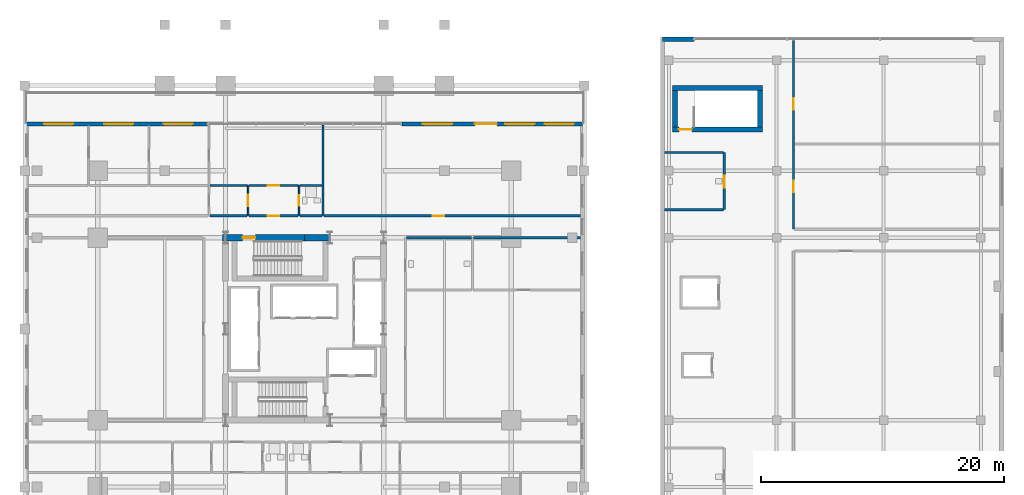
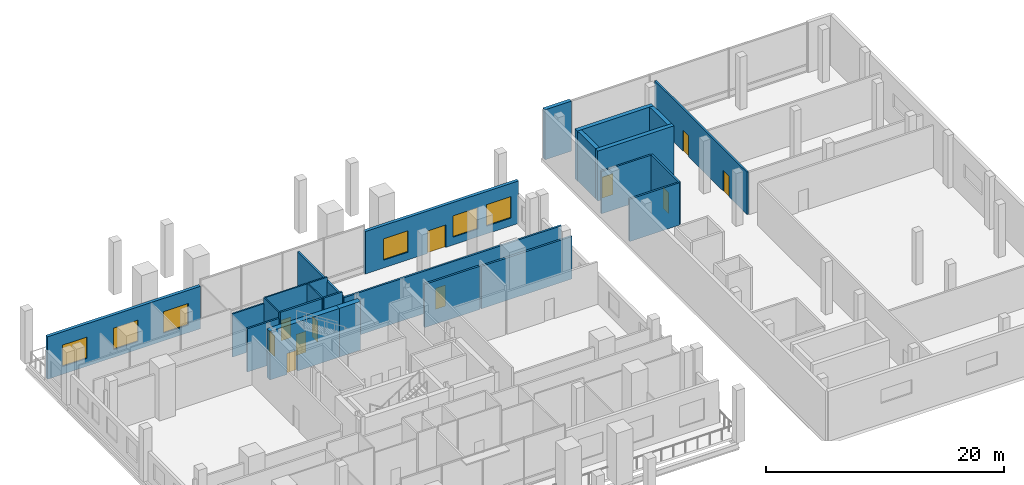
# One storey, part 20 of 25: 25 walls, 11 doors, 6 windows, 17 openings.
"""IFC4 building model written with IfcOpenShell, lengths in metres."""

from ifc_helpers import new_model, si_unit, direction, frame, frame_2d, origin, place, context, subcontext, project, spatial, rectangle, extrude, material, layer, layer_set, type_object, element, fill, save


model = new_model("IFC4")

# Units and contexts
model_context = context("Model", 3, precision=1e-05, world=origin(), true_north=direction((0.0, 1.0)))
body_context = subcontext(model_context, "Body", "Model", "MODEL_VIEW")
ifc_project = project(units=[si_unit("LENGTHUNIT", "METRE"), si_unit("AREAUNIT", "SQUARE_METRE"), si_unit("VOLUMEUNIT", "CUBIC_METRE"), si_unit("PLANEANGLEUNIT", "RADIAN"), si_unit("MASSUNIT", "GRAM", prefix="KILO")], contexts=[model_context])

# Site, building, storey
site_placement = place(None, origin())
site = spatial("IfcSite", under=ifc_project, at=site_placement, CompositionType="ELEMENT")
building_placement = place(site_placement, origin())
building = spatial("IfcBuilding", under=site, at=building_placement, Name="Barlavira Tower and Art Museum", CompositionType="ELEMENT")
storey_placement = place(building_placement, frame((0.0, 0.0, 22.199951171875)))
storey = spatial("IfcBuildingStorey", under=building, at=storey_placement, Name="L04", CompositionType="ELEMENT", Elevation=22.199951171875)

# Wall, opening, door
ifc_material_1 = material(Name="Gypsum acoustic stud partition", Category="gypsum")
ifc_layer_1 = layer(ifc_material_1, 0.1201171875, Name="Gypsum acoustic stud partition")
ifc_layer_set_1 = layer_set([ifc_layer_1], Name="Gypsum acoustic stud partition")
wall_type_1 = type_object("IfcWallType", Name="Apartment Internal Acoustic Partition 120", PredefinedType="PARTITIONING", material=ifc_layer_set_1)
wall_1_placement = place(storey_placement, frame((-4.64990234375, 9.300048828125, 0.0), z_axis=(0.0, 0.0, 1.0), x_axis=(0.0, 1.0, 0.0)))
wall_1 = element("IfcWall", 1, at=wall_1_placement, inside=storey, type_object=wall_type_1, Name="L04 Partition Wall 8", PredefinedType="PARTITIONING", context=body_context, shape_type="SweptSolid", body=[
    extrude(rectangle(XDim=2.52001953125, YDim=0.1201171875, at=frame_2d((1.260009765625, 0.0))), origin(), (0.0, 0.0, 1.0), 5.0),
])
opening_1_placement = place(wall_1_placement, frame((0.784912109375, 0.0, 0.0)))
opening_1 = element("IfcOpeningElement", 2, at=opening_1_placement, cuts=wall_1, Name="Opening D-02", PredefinedType="OPENING", context=body_context, shape_type="SweptSolid", body=[
    extrude(rectangle(XDim=0.949951171875, YDim=2.10009765625, at=frame_2d((0.47509765625, 1.050048828125))), frame((0.0, 0.070068359375, 0.0), z_axis=(0.0, -1.0, 0.0), x_axis=(1.0, 0.0, 0.0)), (0.0, 0.0, 1.0), 0.14013671875),
])
ifc_material_2 = material(Name="Engineered coastal hardwood", Category="wood")
door_type_1 = type_object("IfcDoorType", Name="Living and Salon Glazed-Leaf Door 950x2100", OperationType="NOTDEFINED", PredefinedType="DOOR", material=ifc_material_2)
door_1_placement = place(opening_1_placement, origin())
door_1 = element("IfcDoor", 3, at=door_1_placement, inside=storey, type_object=door_type_1, Name="Apartment P4-NW Kitchen Door", OperationType="SINGLE_SWING_LEFT", OverallHeight=2.10009765625, OverallWidth=0.949951171875, PredefinedType="DOOR", context=body_context, shape_type="SweptSolid", body=[
    extrude(rectangle(XDim=0.949951171875, YDim=2.10009765625, at=frame_2d((0.47509765625, 1.050048828125))), frame((0.0, 0.02490234375, 0.0), z_axis=(0.0, -1.0, 0.0), x_axis=(1.0, 0.0, 0.0)), (0.0, 0.0, 1.0), 0.050048828125),
])
fill(opening_1, door_1)

ifc_material_3 = material(Name="Concrete C60", Category="concrete")
ifc_layer_2 = layer(ifc_material_3, 0.5, Name="Concrete C60")
ifc_layer_set_2 = layer_set([ifc_layer_2], Name="Concrete C60")
wall_type_2 = type_object("IfcWallType", Name="Core Structural Shear Wall 500 Concrete C60", PredefinedType="SHEAR", material=ifc_layer_set_2)
wall_2_placement = place(storey_placement, frame((-6.75, 7.5, 0.0), z_axis=(0.0, 0.0, 1.0), x_axis=(1.0, 0.0, 0.0)))
wall_2 = element("IfcWall", 4, at=wall_2_placement, inside=storey, type_object=wall_type_2, Name="L04 Core Shear Wall CS-NW", PredefinedType="SHEAR", context=body_context, shape_type="SweptSolid", body=[
    extrude(rectangle(XDim=6.75, YDim=0.5, at=frame_2d((3.375, 0.0))), origin(), (0.0, 0.0, 1.0), 5.0),
])
opening_2_placement = place(wall_2_placement, frame((1.64990234375, 0.0, 0.0)))
opening_2 = element("IfcOpeningElement", 5, at=opening_2_placement, cuts=wall_2, Name="Opening FD-90", PredefinedType="OPENING", context=body_context, shape_type="SweptSolid", body=[
    extrude(rectangle(XDim=1.050048828125, YDim=2.14990234375, at=frame_2d((0.52490234375, 1.074951171875))), frame((0.0, 0.260009765625, 0.0), z_axis=(0.0, -1.0, 0.0), x_axis=(1.0, 0.0, 0.0)), (0.0, 0.0, 1.0), 0.52001953125),
])
ifc_material_4 = material(Name="Brushed stainless steel", Category="steel")
door_type_2 = type_object("IfcDoorType", Name="Stair and Refuge Fire Door 1050x2150 FD90S", OperationType="NOTDEFINED", PredefinedType="DOOR", material=ifc_material_4)
door_2_placement = place(opening_2_placement, origin())
door_2 = element("IfcDoor", 6, at=door_2_placement, inside=storey, type_object=door_type_2, Name="L04 Stair ST-T2 Fire Door", OperationType="SINGLE_SWING_LEFT", OverallHeight=2.14990234375, OverallWidth=1.050048828125, PredefinedType="DOOR", context=body_context, shape_type="SweptSolid", body=[
    extrude(rectangle(XDim=1.050048828125, YDim=2.14990234375, at=frame_2d((0.52490234375, 1.074951171875))), frame((0.0, 0.02490234375, 0.0), z_axis=(0.0, -1.0, 0.0), x_axis=(1.0, 0.0, 0.0)), (0.0, 0.0, 1.0), 0.050048828125),
])
fill(opening_2, door_2)

# Walls
wall_3_placement = place(storey_placement, frame((0.0, 7.5, 0.0), z_axis=(0.0, 0.0, 1.0), x_axis=(1.0, 0.0, 0.0)))
element("IfcWall", 7, at=wall_3_placement, inside=storey, type_object=wall_type_2, Name="L04 Core Shear Wall CS-EN", PredefinedType="SHEAR", context=body_context, shape_type="SweptSolid", body=[
    extrude(rectangle(XDim=2.080078125, YDim=0.5, at=frame_2d((1.0400390625, 0.0))), origin(), (0.0, 0.0, 1.0), 5.0),
])
ifc_material_5 = material(Name="Autoclaved aerated concrete masonry", Category="masonry")
ifc_layer_3 = layer(ifc_material_5, 0.199951171875, Name="Autoclaved aerated concrete masonry")
ifc_layer_set_3 = layer_set([ifc_layer_3], Name="Autoclaved aerated concrete masonry")
wall_type_3 = type_object("IfcWallType", Name="Fire Compartment and Shaft Wall 200", PredefinedType="SOLIDWALL", material=ifc_layer_set_3)
wall_4_placement = place(storey_placement, frame((8.3798828125, 7.5, 0.0), z_axis=(0.0, 0.0, 1.0), x_axis=(1.0, 0.0, 0.0)))
element("IfcWall", 8, at=wall_4_placement, inside=storey, type_object=wall_type_3, Name="L04 Partition Wall 54", PredefinedType="SOLIDWALL", context=body_context, shape_type="SweptSolid", body=[
    extrude(rectangle(XDim=5.340087890625, YDim=0.199951171875, at=frame_2d((2.669921875, 0.0))), origin(), (0.0, 0.0, 1.0), 4.43603515625),
])
wall_5_placement = place(storey_placement, frame((13.8798828125, 7.5, 0.0), z_axis=(0.0, 0.0, 1.0), x_axis=(1.0, 0.0, 0.0)))
element("IfcWall", 9, at=wall_5_placement, inside=storey, type_object=wall_type_3, Name="L04 Partition Wall 55", PredefinedType="SOLIDWALL", context=body_context, shape_type="SweptSolid", body=[
    extrude(rectangle(XDim=8.815185546875, YDim=0.199951171875, at=frame_2d((4.40771484375, 0.0))), origin(), (0.0, 0.0, 1.0), 4.35595703125),
])
ifc_layer_4 = layer(ifc_material_1, 0.179931640625, Name="Gypsum acoustic stud partition")
ifc_layer_set_4 = layer_set([ifc_layer_4], Name="Gypsum acoustic stud partition")
wall_type_4 = type_object("IfcWallType", Name="Inter-Tenancy Party Partition Wall 180", PredefinedType="PARTITIONING", material=ifc_layer_set_4)
wall_6_placement = place(storey_placement, frame((1.5, 9.300048828125, 0.0), z_axis=(0.0, 0.0, 1.0), x_axis=(0.0, 1.0, 0.0)))
element("IfcWall", 10, at=wall_6_placement, inside=storey, type_object=wall_type_4, Name="L04 Partition Wall 13", PredefinedType="PARTITIONING", context=body_context, shape_type="SweptSolid", body=[
    extrude(rectangle(XDim=7.454833984375, YDim=0.179931640625, at=frame_2d((3.7275390625, 0.0))), origin(), (0.0, 0.0, 1.0), 4.568115234375),
])

# Wall, opening, door
wall_7_placement = place(storey_placement, frame((34.5, 9.800048828125, 0.0), z_axis=(0.0, 0.0, 1.0), x_axis=(0.0, 1.0, 0.0)))
wall_7 = element("IfcWall", 11, at=wall_7_placement, inside=storey, type_object=wall_type_4, Name="L04 Partition Wall 22", PredefinedType="PARTITIONING", context=body_context, shape_type="SweptSolid", body=[
    extrude(rectangle(XDim=4.699951171875, YDim=0.179931640625, at=frame_2d((2.35009765625, 0.0))), origin(), (0.0, 0.0, 1.0), 4.34716796875),
])
opening_3_placement = place(wall_7_placement, frame((1.824951171875, 0.0, 0.0)))
opening_3 = element("IfcOpeningElement", 12, at=opening_3_placement, cuts=wall_7, Name="Opening FD-60", PredefinedType="OPENING", context=body_context, shape_type="SweptSolid", body=[
    extrude(rectangle(XDim=0.949951171875, YDim=2.14990234375, at=frame_2d((0.47509765625, 1.074951171875))), frame((0.0, 0.10009765625, 0.0), z_axis=(0.0, -1.0, 0.0), x_axis=(1.0, 0.0, 0.0)), (0.0, 0.0, 1.0), 0.199951171875),
])
door_type_3 = type_object("IfcDoorType", Name="Apartment Entrance and Riser Fire Door 950x2150 FD60S", OperationType="NOTDEFINED", PredefinedType="DOOR", material=ifc_material_4)
door_3_placement = place(opening_3_placement, origin())
door_3 = element("IfcDoor", 13, at=door_3_placement, inside=storey, type_object=door_type_3, Name="L04 Museum Visitor Restrooms Door", OperationType="SINGLE_SWING_RIGHT", OverallHeight=2.14990234375, OverallWidth=0.949951171875, PredefinedType="DOOR", context=body_context, shape_type="SweptSolid", body=[
    extrude(rectangle(XDim=0.949951171875, YDim=2.14990234375, at=frame_2d((0.47509765625, 1.074951171875))), frame((0.0, 0.02490234375, 0.0), z_axis=(0.0, -1.0, 0.0), x_axis=(1.0, 0.0, 0.0)), (0.0, 0.0, 1.0), 0.050048828125),
])
fill(opening_3, door_3)

# Wall, openings, doors
wall_8_placement = place(storey_placement, frame((40.199951171875, 8.199951171875, 0.0), z_axis=(0.0, 0.0, 1.0), x_axis=(0.0, 1.0, 0.0)))
wall_8 = element("IfcWall", 14, at=wall_8_placement, inside=storey, type_object=wall_type_4, Name="L04 Partition Wall 24", PredefinedType="PARTITIONING", context=body_context, shape_type="SweptSolid", body=[
    extrude(rectangle(XDim=15.52001953125, YDim=0.179931640625, at=frame_2d((7.760009765625, 0.0))), origin(), (0.0, 0.0, 1.0), 4.34716796875),
])
opening_4_placement = place(wall_8_placement, frame((3.02490234375, 0.0, 0.0)))
opening_4 = element("IfcOpeningElement", 15, at=opening_4_placement, cuts=wall_8, Name="Opening FD-60", PredefinedType="OPENING", context=body_context, shape_type="SweptSolid", body=[
    extrude(rectangle(XDim=0.949951171875, YDim=2.14990234375, at=frame_2d((0.47509765625, 1.074951171875))), frame((0.0, 0.10009765625, 0.0), z_axis=(0.0, -1.0, 0.0), x_axis=(1.0, 0.0, 0.0)), (0.0, 0.0, 1.0), 0.199951171875),
])
opening_5_placement = place(wall_8_placement, frame((9.824951171875, 0.0, 0.0)))
opening_5 = element("IfcOpeningElement", 16, at=opening_5_placement, cuts=wall_8, Name="Opening FD-60", PredefinedType="OPENING", context=body_context, shape_type="SweptSolid", body=[
    extrude(rectangle(XDim=0.949951171875, YDim=2.14990234375, at=frame_2d((0.47509765625, 1.074951171875))), frame((0.0, 0.10009765625, 0.0), z_axis=(0.0, -1.0, 0.0), x_axis=(1.0, 0.0, 0.0)), (0.0, 0.0, 1.0), 0.199951171875),
])
door_4_placement = place(opening_4_placement, origin())
door_4 = element("IfcDoor", 17, at=door_4_placement, inside=storey, type_object=door_type_3, Name="L04 North Coastal Contemporary Art Gallery Door", OperationType="SINGLE_SWING_RIGHT", OverallHeight=2.14990234375, OverallWidth=0.949951171875, PredefinedType="DOOR", context=body_context, shape_type="SweptSolid", body=[
    extrude(rectangle(XDim=0.949951171875, YDim=2.14990234375, at=frame_2d((0.47509765625, 1.074951171875))), frame((0.0, 0.02490234375, 0.0), z_axis=(0.0, -1.0, 0.0), x_axis=(1.0, 0.0, 0.0)), (0.0, 0.0, 1.0), 0.050048828125),
])
fill(opening_4, door_4)
door_5_placement = place(opening_5_placement, origin())
door_5 = element("IfcDoor", 18, at=door_5_placement, inside=storey, type_object=door_type_3, Name="L04 Curatorial Seminar Workshop Door", OperationType="SINGLE_SWING_LEFT", OverallHeight=2.14990234375, OverallWidth=0.949951171875, PredefinedType="DOOR", context=body_context, shape_type="SweptSolid", body=[
    extrude(rectangle(XDim=0.949951171875, YDim=2.14990234375, at=frame_2d((0.47509765625, 1.074951171875))), frame((0.0, 0.02490234375, 0.0), z_axis=(0.0, -1.0, 0.0), x_axis=(1.0, 0.0, 0.0)), (0.0, 0.0, 1.0), 0.050048828125),
])
fill(opening_5, door_5)

# Wall
wall_9_placement = place(storey_placement, frame((-7.77001953125, 9.300048828125, 0.0), z_axis=(0.0, 0.0, 1.0), x_axis=(1.0, 0.0, 0.0)))
element("IfcWall", 19, at=wall_9_placement, inside=storey, type_object=wall_type_4, Name="L04 Partition Wall 58", PredefinedType="PARTITIONING", context=body_context, shape_type="SweptSolid", body=[
    extrude(rectangle(XDim=3.0400390625, YDim=0.179931640625, at=frame_2d((1.52001953125, 0.0))), origin(), (0.0, 0.0, 1.0), 4.43603515625),
])

# Wall, opening, door
wall_10_placement = place(storey_placement, frame((-4.570068359375, 9.300048828125, 0.0), z_axis=(0.0, 0.0, 1.0), x_axis=(1.0, 0.0, 0.0)))
wall_10 = element("IfcWall", 20, at=wall_10_placement, inside=storey, type_object=wall_type_4, Name="L04 Partition Wall 59", PredefinedType="PARTITIONING", context=body_context, shape_type="SweptSolid", body=[
    extrude(rectangle(XDim=4.0400390625, YDim=0.179931640625, at=frame_2d((2.02001953125, 0.0))), origin(), (0.0, 0.0, 1.0), 5.0),
])
opening_6_placement = place(wall_10_placement, frame((1.544921875, 0.0, 0.0)))
opening_6 = element("IfcOpeningElement", 21, at=opening_6_placement, cuts=wall_10, Name="Opening FD-60", PredefinedType="OPENING", context=body_context, shape_type="SweptSolid", body=[
    extrude(rectangle(XDim=0.949951171875, YDim=2.14990234375, at=frame_2d((0.47509765625, 1.074951171875))), frame((0.0, 0.10009765625, 0.0), z_axis=(0.0, -1.0, 0.0), x_axis=(1.0, 0.0, 0.0)), (0.0, 0.0, 1.0), 0.199951171875),
])
door_6_placement = place(opening_6_placement, origin())
door_6 = element("IfcDoor", 22, at=door_6_placement, inside=storey, type_object=door_type_3, Name="Apartment Entrance Hall P4-NW Door", OperationType="SINGLE_SWING_RIGHT", OverallHeight=2.14990234375, OverallWidth=0.949951171875, PredefinedType="DOOR", context=body_context, shape_type="SweptSolid", body=[
    extrude(rectangle(XDim=0.949951171875, YDim=2.14990234375, at=frame_2d((0.47509765625, 1.074951171875))), frame((0.0, 0.02490234375, 0.0), z_axis=(0.0, -1.0, 0.0), x_axis=(1.0, 0.0, 0.0)), (0.0, 0.0, 1.0), 0.050048828125),
])
fill(opening_6, door_6)

# Wall
wall_11_placement = place(storey_placement, frame((-0.3701171875, 9.300048828125, 0.0), z_axis=(0.0, 0.0, 1.0), x_axis=(1.0, 0.0, 0.0)))
element("IfcWall", 23, at=wall_11_placement, inside=storey, type_object=wall_type_4, Name="L04 Partition Wall 60", PredefinedType="PARTITIONING", context=body_context, shape_type="SweptSolid", body=[
    extrude(rectangle(XDim=1.7900390625, YDim=0.179931640625, at=frame_2d((0.89501953125, 0.0))), origin(), (0.0, 0.0, 1.0), 5.0),
])

# Wall, opening, door
wall_12_placement = place(storey_placement, frame((1.580078125, 9.300048828125, 0.0), z_axis=(0.0, 0.0, 1.0), x_axis=(1.0, 0.0, 0.0)))
wall_12 = element("IfcWall", 24, at=wall_12_placement, inside=storey, type_object=wall_type_4, Name="L04 Partition Wall 61", PredefinedType="PARTITIONING", context=body_context, shape_type="SweptSolid", body=[
    extrude(rectangle(XDim=21.114990234375, YDim=0.179931640625, at=frame_2d((10.5576171875, 0.0))), origin(), (0.0, 0.0, 1.0), 4.35595703125),
])
opening_7_placement = place(wall_12_placement, frame((8.945068359375, 0.0, 0.0)))
opening_7 = element("IfcOpeningElement", 25, at=opening_7_placement, cuts=wall_12, Name="Opening FD-60", PredefinedType="OPENING", context=body_context, shape_type="SweptSolid", body=[
    extrude(rectangle(XDim=0.949951171875, YDim=2.14990234375, at=frame_2d((0.47509765625, 1.074951171875))), frame((0.0, 0.10009765625, 0.0), z_axis=(0.0, -1.0, 0.0), x_axis=(1.0, 0.0, 0.0)), (0.0, 0.0, 1.0), 0.199951171875),
])
door_7_placement = place(opening_7_placement, origin())
door_7 = element("IfcDoor", 26, at=door_7_placement, inside=storey, type_object=door_type_3, Name="Upper Cascade Sunset Club Lounge Door", OperationType="SINGLE_SWING_LEFT", OverallHeight=2.14990234375, OverallWidth=0.949951171875, PredefinedType="DOOR", context=body_context, shape_type="SweptSolid", body=[
    extrude(rectangle(XDim=0.949951171875, YDim=2.14990234375, at=frame_2d((0.47509765625, 1.074951171875))), frame((0.0, 0.02490234375, 0.0), z_axis=(0.0, -1.0, 0.0), x_axis=(1.0, 0.0, 0.0)), (0.0, 0.0, 1.0), 0.050048828125),
])
fill(opening_7, door_7)

# Walls
for number, where, z_axis, x_axis, name in (
    (27, (29.60498046875, 9.800048828125, 0.0), (0.0, 0.0, 1.0), (1.0, 0.0, 0.0), "L04 Partition Wall 62"),
    (28, (29.60498046875, 14.5, 0.0), (0.0, 0.0, 1.0), (1.0, 0.0, 0.0), "L04 Partition Wall 69"),
):
    element("IfcWall", number, at=place(storey_placement, frame(where, z_axis=z_axis, x_axis=x_axis)), inside=storey, type_object=wall_type_4, Name=name, PredefinedType="PARTITIONING", context=body_context, shape_type="SweptSolid", body=[
        extrude(rectangle(XDim=4.81494140625, YDim=0.179931640625, at=frame_2d((2.407470703125, 0.0))), origin(), (0.0, 0.0, 1.0), 4.34716796875),
    ])

# Wall, opening, door
ifc_layer_5 = layer(ifc_material_1, 0.139892578125, Name="Gypsum acoustic stud partition")
ifc_layer_set_5 = layer_set([ifc_layer_5], Name="Gypsum acoustic stud partition")
wall_type_5 = type_object("IfcWallType", Name="Moisture-Resistant Bathroom Partition 140", PredefinedType="PARTITIONING", material=ifc_layer_set_5)
wall_13_placement = place(storey_placement, frame((-0.449951171875, 9.300048828125, 0.0), z_axis=(0.0, 0.0, 1.0), x_axis=(0.0, 1.0, 0.0)))
wall_13 = element("IfcWall", 29, at=wall_13_placement, inside=storey, type_object=wall_type_5, Name="L04 Partition Wall 11", PredefinedType="PARTITIONING", context=body_context, shape_type="SweptSolid", body=[
    extrude(rectangle(XDim=2.52001953125, YDim=0.139892578125, at=frame_2d((1.260009765625, 0.0))), origin(), (0.0, 0.0, 1.0), 5.0),
])
opening_8_placement = place(wall_13_placement, frame((0.81005859375, 0.0, 0.0)))
opening_8 = element("IfcOpeningElement", 30, at=opening_8_placement, cuts=wall_13, Name="Opening D-WC", PredefinedType="OPENING", context=body_context, shape_type="SweptSolid", body=[
    extrude(rectangle(XDim=0.89990234375, YDim=2.10009765625, at=frame_2d((0.449951171875, 1.050048828125))), frame((0.0, 0.080078125, 0.0), z_axis=(0.0, -1.0, 0.0), x_axis=(1.0, 0.0, 0.0)), (0.0, 0.0, 1.0), 0.159912109375),
])
door_type_4 = type_object("IfcDoorType", Name="Accessible Bathroom Flush Door 900x2100", OperationType="NOTDEFINED", PredefinedType="DOOR", material=ifc_material_2)
door_8_placement = place(opening_8_placement, origin())
door_8 = element("IfcDoor", 31, at=door_8_placement, inside=storey, type_object=door_type_4, Name="Apartment P4-NW Hall Bathroom Door", OperationType="SINGLE_SWING_LEFT", OverallHeight=2.10009765625, OverallWidth=0.89990234375, PredefinedType="DOOR", context=body_context, shape_type="SweptSolid", body=[
    extrude(rectangle(XDim=0.89990234375, YDim=2.10009765625, at=frame_2d((0.449951171875, 1.050048828125))), frame((0.0, 0.02490234375, 0.0), z_axis=(0.0, -1.0, 0.0), x_axis=(1.0, 0.0, 0.0)), (0.0, 0.0, 1.0), 0.050048828125),
])
fill(opening_8, door_8)

# Wall
wall_14_placement = place(storey_placement, frame((-7.77001953125, 11.800048828125, 0.0), z_axis=(0.0, 0.0, 1.0), x_axis=(1.0, 0.0, 0.0)))
element("IfcWall", 32, at=wall_14_placement, inside=storey, type_object=wall_type_5, Name="L04 Partition Wall 66", PredefinedType="PARTITIONING", context=body_context, shape_type="SweptSolid", body=[
    extrude(rectangle(XDim=3.0400390625, YDim=0.139892578125, at=frame_2d((1.52001953125, 0.0))), origin(), (0.0, 0.0, 1.0), 4.43603515625),
])

# Wall, opening, door
wall_15_placement = place(storey_placement, frame((-4.570068359375, 11.800048828125, 0.0), z_axis=(0.0, 0.0, 1.0), x_axis=(1.0, 0.0, 0.0)))
wall_15 = element("IfcWall", 33, at=wall_15_placement, inside=storey, type_object=wall_type_5, Name="L04 Partition Wall 67", PredefinedType="PARTITIONING", context=body_context, shape_type="SweptSolid", body=[
    extrude(rectangle(XDim=4.0400390625, YDim=0.139892578125, at=frame_2d((2.02001953125, 0.0))), origin(), (0.0, 0.0, 1.0), 5.0),
])
opening_9_placement = place(wall_15_placement, frame((1.544921875, 0.0, 0.0)))
opening_9 = element("IfcOpeningElement", 34, at=opening_9_placement, cuts=wall_15, Name="Opening D-02", PredefinedType="OPENING", context=body_context, shape_type="SweptSolid", body=[
    extrude(rectangle(XDim=0.949951171875, YDim=2.10009765625, at=frame_2d((0.47509765625, 1.050048828125))), frame((0.0, 0.080078125, 0.0), z_axis=(0.0, -1.0, 0.0), x_axis=(1.0, 0.0, 0.0)), (0.0, 0.0, 1.0), 0.159912109375),
])
door_9_placement = place(opening_9_placement, origin())
door_9 = element("IfcDoor", 35, at=door_9_placement, inside=storey, type_object=door_type_1, Name="Apartment P4-NW Living Lounge Door", OperationType="SINGLE_SWING_LEFT", OverallHeight=2.10009765625, OverallWidth=0.949951171875, PredefinedType="DOOR", context=body_context, shape_type="SweptSolid", body=[
    extrude(rectangle(XDim=0.949951171875, YDim=2.10009765625, at=frame_2d((0.47509765625, 1.050048828125))), frame((0.0, 0.02490234375, 0.0), z_axis=(0.0, -1.0, 0.0), x_axis=(1.0, 0.0, 0.0)), (0.0, 0.0, 1.0), 0.050048828125),
])
fill(opening_9, door_9)

# Walls
wall_16_placement = place(storey_placement, frame((-0.3701171875, 11.800048828125, 0.0), z_axis=(0.0, 0.0, 1.0), x_axis=(1.0, 0.0, 0.0)))
element("IfcWall", 36, at=wall_16_placement, inside=storey, type_object=wall_type_5, Name="L04 Partition Wall 68", PredefinedType="PARTITIONING", context=body_context, shape_type="SweptSolid", body=[
    extrude(rectangle(XDim=1.7900390625, YDim=0.139892578125, at=frame_2d((0.89501953125, 0.0))), origin(), (0.0, 0.0, 1.0), 5.0),
])
ifc_material_6 = material(Name="Precast concrete C40", Category="concrete")
ifc_layer_6 = layer(ifc_material_6, 0.35009765625, Name="Precast concrete C40")
ifc_layer_set_6 = layer_set([ifc_layer_6], Name="Precast concrete C40")
wall_type_6 = type_object("IfcWallType", Name="Museum Board-Formed Concrete Facade Wall 350 Concrete C40", PredefinedType="SOLIDWALL", material=ifc_layer_set_6)
wall_17_placement = place(storey_placement, frame((29.425048828125, 23.824951171875, 0.0), z_axis=(0.0, 0.0, 1.0), x_axis=(1.0, 0.0, 0.0)))
element("IfcWall", 37, at=wall_17_placement, inside=storey, type_object=wall_type_6, Name="L04 Museum North-West Pier Wall", PredefinedType="SOLIDWALL", context=body_context, shape_type="SweptSolid", body=[
    extrude(rectangle(XDim=2.574951171875, YDim=0.35009765625, at=frame_2d((1.28759765625, 0.0))), origin(), (0.0, 0.0, 1.0), 5.130126953125),
])

# Wall, openings, windows
ifc_layer_7 = layer(ifc_material_6, 0.300048828125, Name="Precast concrete C40")
ifc_layer_set_7 = layer_set([ifc_layer_7], Name="Precast concrete C40")
wall_type_7 = type_object("IfcWallType", Name="Podium Architectural Precast Facade Wall 300 Concrete C40", PredefinedType="SOLIDWALL", material=ifc_layer_set_7)
wall_18_placement = place(storey_placement, frame((-22.85009765625, 16.85009765625, 0.0), z_axis=(0.0, 0.0, 1.0), x_axis=(1.0, 0.0, 0.0)))
wall_18 = element("IfcWall", 38, at=wall_18_placement, inside=storey, type_object=wall_type_7, Name="L04 Podium North-West Wall", PredefinedType="SOLIDWALL", context=body_context, shape_type="SweptSolid", body=[
    extrude(rectangle(XDim=14.85009765625, YDim=0.300048828125, at=frame_2d((7.425048828125, 0.0))), origin(), (0.0, 0.0, 1.0), 4.35595703125),
])
opening_10_placement = place(wall_18_placement, frame((1.425048828125, 0.0, 0.800048828125)))
opening_10 = element("IfcOpeningElement", 39, at=opening_10_placement, cuts=wall_18, Name="Opening WN-02", PredefinedType="OPENING", context=body_context, shape_type="SweptSolid", body=[
    extrude(rectangle(XDim=2.39990234375, YDim=2.199951171875, at=frame_2d((1.199951171875, 1.10009765625))), frame((0.0, 0.16015625, 0.0), z_axis=(0.0, -1.0, 0.0), x_axis=(1.0, 0.0, 0.0)), (0.0, 0.0, 1.0), 0.320068359375),
])
opening_11_placement = place(wall_18_placement, frame((6.375, 0.0, 0.800048828125)))
opening_11 = element("IfcOpeningElement", 40, at=opening_11_placement, cuts=wall_18, Name="Opening WN-02", PredefinedType="OPENING", context=body_context, shape_type="SweptSolid", body=[
    extrude(rectangle(XDim=2.39990234375, YDim=2.199951171875, at=frame_2d((1.199951171875, 1.10009765625))), frame((0.0, 0.16015625, 0.0), z_axis=(0.0, -1.0, 0.0), x_axis=(1.0, 0.0, 0.0)), (0.0, 0.0, 1.0), 0.320068359375),
])
opening_12_placement = place(wall_18_placement, frame((11.25, 0.0, 0.800048828125)))
opening_12 = element("IfcOpeningElement", 41, at=opening_12_placement, cuts=wall_18, Name="Opening WN-02", PredefinedType="OPENING", context=body_context, shape_type="SweptSolid", body=[
    extrude(rectangle(XDim=2.39990234375, YDim=2.199951171875, at=frame_2d((1.199951171875, 1.10009765625))), frame((0.0, 0.16015625, 0.0), z_axis=(0.0, -1.0, 0.0), x_axis=(1.0, 0.0, 0.0)), (0.0, 0.0, 1.0), 0.320068359375),
])
ifc_material_7 = material(Name="Low-iron coastal laminated glass", Category="glass")
window_type = type_object("IfcWindowType", Name="Podium Garden Gallery Window 2400x2200", PartitioningType="SINGLE_PANEL", PredefinedType="WINDOW", material=ifc_material_7)
window_1_placement = place(opening_10_placement, origin())
window_1 = element("IfcWindow", 42, at=window_1_placement, inside=storey, type_object=window_type, Name="L04 Punched Facade Window EW-L04-NW-1", OverallHeight=2.199951171875, OverallWidth=2.39990234375, PartitioningType="SINGLE_PANEL", PredefinedType="WINDOW", context=body_context, shape_type="SweptSolid", body=[
    extrude(rectangle(XDim=2.39990234375, YDim=2.199951171875, at=frame_2d((1.199951171875, 1.10009765625))), frame((0.0, 0.030029296875, 0.0), z_axis=(0.0, -1.0, 0.0), x_axis=(1.0, 0.0, 0.0)), (0.0, 0.0, 1.0), 0.06005859375),
])
fill(opening_10, window_1)
window_2_placement = place(opening_11_placement, origin())
window_2 = element("IfcWindow", 43, at=window_2_placement, inside=storey, type_object=window_type, Name="L04 Punched Facade Window EW-L04-NW-2", OverallHeight=2.199951171875, OverallWidth=2.39990234375, PartitioningType="SINGLE_PANEL", PredefinedType="WINDOW", context=body_context, shape_type="SweptSolid", body=[
    extrude(rectangle(XDim=2.39990234375, YDim=2.199951171875, at=frame_2d((1.199951171875, 1.10009765625))), frame((0.0, 0.030029296875, 0.0), z_axis=(0.0, -1.0, 0.0), x_axis=(1.0, 0.0, 0.0)), (0.0, 0.0, 1.0), 0.06005859375),
])
fill(opening_11, window_2)
window_3_placement = place(opening_12_placement, origin())
window_3 = element("IfcWindow", 44, at=window_3_placement, inside=storey, type_object=window_type, Name="L04 Punched Facade Window EW-L04-NW-3", OverallHeight=2.199951171875, OverallWidth=2.39990234375, PartitioningType="SINGLE_PANEL", PredefinedType="WINDOW", context=body_context, shape_type="SweptSolid", body=[
    extrude(rectangle(XDim=2.39990234375, YDim=2.199951171875, at=frame_2d((1.199951171875, 1.10009765625))), frame((0.0, 0.030029296875, 0.0), z_axis=(0.0, -1.0, 0.0), x_axis=(1.0, 0.0, 0.0)), (0.0, 0.0, 1.0), 0.06005859375),
])
fill(opening_12, window_3)

# Wall, openings, windows, door
wall_19_placement = place(storey_placement, frame((8.0, 16.85009765625, 0.0), z_axis=(0.0, 0.0, 1.0), x_axis=(1.0, 0.0, 0.0)))
wall_19 = element("IfcWall", 45, at=wall_19_placement, inside=storey, type_object=wall_type_7, Name="L04 Podium North-East Wall", PredefinedType="SOLIDWALL", context=body_context, shape_type="SweptSolid", body=[
    extrude(rectangle(XDim=14.85009765625, YDim=0.300048828125, at=frame_2d((7.425048828125, 0.0))), origin(), (0.0, 0.0, 1.0), 4.35595703125),
])
opening_13_placement = place(wall_19_placement, frame((6.0, 0.0, 0.0)))
opening_13 = element("IfcOpeningElement", 46, at=opening_13_placement, cuts=wall_19, Name="Opening ED-03", PredefinedType="OPENING", context=body_context, shape_type="SweptSolid", body=[
    extrude(rectangle(XDim=1.800048828125, YDim=2.300048828125, at=frame_2d((0.89990234375, 1.14990234375))), frame((0.0, 0.16015625, 0.0), z_axis=(0.0, -1.0, 0.0), x_axis=(1.0, 0.0, 0.0)), (0.0, 0.0, 1.0), 0.320068359375),
])
opening_14_placement = place(wall_19_placement, frame((1.72998046875, 0.0, 0.800048828125)))
opening_14 = element("IfcOpeningElement", 47, at=opening_14_placement, cuts=wall_19, Name="Opening WN-02", PredefinedType="OPENING", context=body_context, shape_type="SweptSolid", body=[
    extrude(rectangle(XDim=2.39990234375, YDim=2.199951171875, at=frame_2d((1.199951171875, 1.10009765625))), frame((0.0, 0.16015625, 0.0), z_axis=(0.0, -1.0, 0.0), x_axis=(1.0, 0.0, 0.0)), (0.0, 0.0, 1.0), 0.320068359375),
])
opening_15_placement = place(wall_19_placement, frame((8.510009765625, 0.0, 0.800048828125)))
opening_15 = element("IfcOpeningElement", 48, at=opening_15_placement, cuts=wall_19, Name="Opening WN-02", PredefinedType="OPENING", context=body_context, shape_type="SweptSolid", body=[
    extrude(rectangle(XDim=2.39990234375, YDim=2.199951171875, at=frame_2d((1.199951171875, 1.10009765625))), frame((0.0, 0.16015625, 0.0), z_axis=(0.0, -1.0, 0.0), x_axis=(1.0, 0.0, 0.0)), (0.0, 0.0, 1.0), 0.320068359375),
])
opening_16_placement = place(wall_19_placement, frame((11.72998046875, 0.0, 0.800048828125)))
opening_16 = element("IfcOpeningElement", 49, at=opening_16_placement, cuts=wall_19, Name="Opening WN-02", PredefinedType="OPENING", context=body_context, shape_type="SweptSolid", body=[
    extrude(rectangle(XDim=2.39990234375, YDim=2.199951171875, at=frame_2d((1.199951171875, 1.10009765625))), frame((0.0, 0.16015625, 0.0), z_axis=(0.0, -1.0, 0.0), x_axis=(1.0, 0.0, 0.0)), (0.0, 0.0, 1.0), 0.320068359375),
])
window_4_placement = place(opening_14_placement, origin())
window_4 = element("IfcWindow", 50, at=window_4_placement, inside=storey, type_object=window_type, Name="L04 Punched Facade Window EW-L04-NE-1", OverallHeight=2.199951171875, OverallWidth=2.39990234375, PartitioningType="SINGLE_PANEL", PredefinedType="WINDOW", context=body_context, shape_type="SweptSolid", body=[
    extrude(rectangle(XDim=2.39990234375, YDim=2.199951171875, at=frame_2d((1.199951171875, 1.10009765625))), frame((0.0, 0.030029296875, 0.0), z_axis=(0.0, -1.0, 0.0), x_axis=(1.0, 0.0, 0.0)), (0.0, 0.0, 1.0), 0.06005859375),
])
fill(opening_14, window_4)
window_5_placement = place(opening_15_placement, origin())
window_5 = element("IfcWindow", 51, at=window_5_placement, inside=storey, type_object=window_type, Name="L04 Punched Facade Window EW-L04-NE-2", OverallHeight=2.199951171875, OverallWidth=2.39990234375, PartitioningType="SINGLE_PANEL", PredefinedType="WINDOW", context=body_context, shape_type="SweptSolid", body=[
    extrude(rectangle(XDim=2.39990234375, YDim=2.199951171875, at=frame_2d((1.199951171875, 1.10009765625))), frame((0.0, 0.030029296875, 0.0), z_axis=(0.0, -1.0, 0.0), x_axis=(1.0, 0.0, 0.0)), (0.0, 0.0, 1.0), 0.06005859375),
])
fill(opening_15, window_5)
window_6_placement = place(opening_16_placement, origin())
window_6 = element("IfcWindow", 52, at=window_6_placement, inside=storey, type_object=window_type, Name="L04 Punched Facade Window EW-L04-NE-3", OverallHeight=2.199951171875, OverallWidth=2.39990234375, PartitioningType="SINGLE_PANEL", PredefinedType="WINDOW", context=body_context, shape_type="SweptSolid", body=[
    extrude(rectangle(XDim=2.39990234375, YDim=2.199951171875, at=frame_2d((1.199951171875, 1.10009765625))), frame((0.0, 0.030029296875, 0.0), z_axis=(0.0, -1.0, 0.0), x_axis=(1.0, 0.0, 0.0)), (0.0, 0.0, 1.0), 0.06005859375),
])
fill(opening_16, window_6)
ifc_material_8 = material(Name="Pale anodised aluminium", Category="aluminium")
door_type_5 = type_object("IfcDoorType", Name="Terrace and Observation Deck Glazed Door 1800x2300", OperationType="NOTDEFINED", PredefinedType="DOOR", material=ifc_material_8)
door_10_placement = place(opening_13_placement, origin())
door_10 = element("IfcDoor", 53, at=door_10_placement, inside=storey, type_object=door_type_5, Name="L04 North Cascade Terrace Access Door", OperationType="DOUBLE_DOOR_SINGLE_SWING", OverallHeight=2.300048828125, OverallWidth=1.800048828125, PredefinedType="DOOR", context=body_context, shape_type="SweptSolid", body=[
    extrude(rectangle(XDim=1.800048828125, YDim=2.300048828125, at=frame_2d((0.89990234375, 1.14990234375))), frame((0.0, 0.02490234375, 0.0), z_axis=(0.0, -1.0, 0.0), x_axis=(1.0, 0.0, 0.0)), (0.0, 0.0, 1.0), 0.050048828125),
])
fill(opening_13, door_10)

# Walls
ifc_material_9 = material(Name="Concrete C55", Category="concrete")
ifc_layer_8 = layer(ifc_material_9, 0.39990234375, Name="Concrete C55")
ifc_layer_set_8 = layer_set([ifc_layer_8], Name="Concrete C55")
wall_type_8 = type_object("IfcWallType", Name="Upper Core Shear Wall 400 Concrete C55", PredefinedType="SHEAR", material=ifc_layer_set_8)
wall_20_placement = place(storey_placement, frame((30.25, 19.800048828125, 0.0), z_axis=(0.0, 0.0, 1.0), x_axis=(1.0, 0.0, 0.0)))
element("IfcWall", 54, at=wall_20_placement, inside=storey, type_object=wall_type_8, Name="L04 ST-M2 North Shaft Wall", PredefinedType="SHEAR", context=body_context, shape_type="SweptSolid", body=[
    extrude(rectangle(XDim=7.39990234375, YDim=0.39990234375, at=frame_2d((3.699951171875, 0.0))), origin(), (0.0, 0.0, 1.0), 5.130126953125),
])
for number, where, z_axis, x_axis, name in (
    (55, (37.449951171875, 16.60009765625, 0.0), (0.0, 0.0, 1.0), (0.0, 1.0, 0.0), "L04 ST-M2 East Half-Landing Wall"),
    (56, (30.449951171875, 16.60009765625, 0.0), (0.0, 0.0, 1.0), (0.0, 1.0, 0.0), "L04 ST-M2 West Shaft Wall"),
):
    element("IfcWall", number, at=place(storey_placement, frame(where, z_axis=z_axis, x_axis=x_axis)), inside=storey, type_object=wall_type_8, Name=name, PredefinedType="SHEAR", context=body_context, shape_type="SweptSolid", body=[
        extrude(rectangle(XDim=3.0, YDim=0.39990234375, at=frame_2d((1.5, 0.0))), origin(), (0.0, 0.0, 1.0), 5.130126953125),
    ])

# Wall, opening, door
wall_21_placement = place(storey_placement, frame((37.64990234375, 16.39990234375, 0.0), z_axis=(0.0, 0.0, 1.0), x_axis=(-1.0, 0.0, 0.0)))
wall_21 = element("IfcWall", 57, at=wall_21_placement, inside=storey, type_object=wall_type_8, Name="L04 ST-M2 South Landing Wall", PredefinedType="SHEAR", context=body_context, shape_type="SweptSolid", body=[
    extrude(rectangle(XDim=7.39990234375, YDim=0.39990234375, at=frame_2d((3.699951171875, 0.0))), origin(), (0.0, 0.0, 1.0), 5.130126953125),
])
opening_17_placement = place(wall_21_placement, frame((5.820068359375, 0.0, 0.0)))
opening_17 = element("IfcOpeningElement", 58, at=opening_17_placement, cuts=wall_21, Name="Opening FD-90", PredefinedType="OPENING", context=body_context, shape_type="SweptSolid", body=[
    extrude(rectangle(XDim=1.050048828125, YDim=2.14990234375, at=frame_2d((0.52490234375, 1.074951171875))), frame((0.0, 0.2099609375, 0.0), z_axis=(0.0, -1.0, 0.0), x_axis=(1.0, 0.0, 0.0)), (0.0, 0.0, 1.0), 0.419921875),
])
door_11_placement = place(opening_17_placement, origin())
door_11 = element("IfcDoor", 59, at=door_11_placement, inside=storey, type_object=door_type_2, Name="L04 Museum North Stair ST-M2 Fire Door", OperationType="SINGLE_SWING_RIGHT", OverallHeight=2.14990234375, OverallWidth=1.050048828125, PredefinedType="DOOR", context=body_context, shape_type="SweptSolid", body=[
    extrude(rectangle(XDim=1.050048828125, YDim=2.14990234375, at=frame_2d((0.52490234375, 1.074951171875))), frame((0.0, 0.02490234375, 0.0), z_axis=(0.0, -1.0, 0.0), x_axis=(1.0, 0.0, 0.0)), (0.0, 0.0, 1.0), 0.050048828125),
])
fill(opening_17, door_11)

save(model, "model.ifc")
